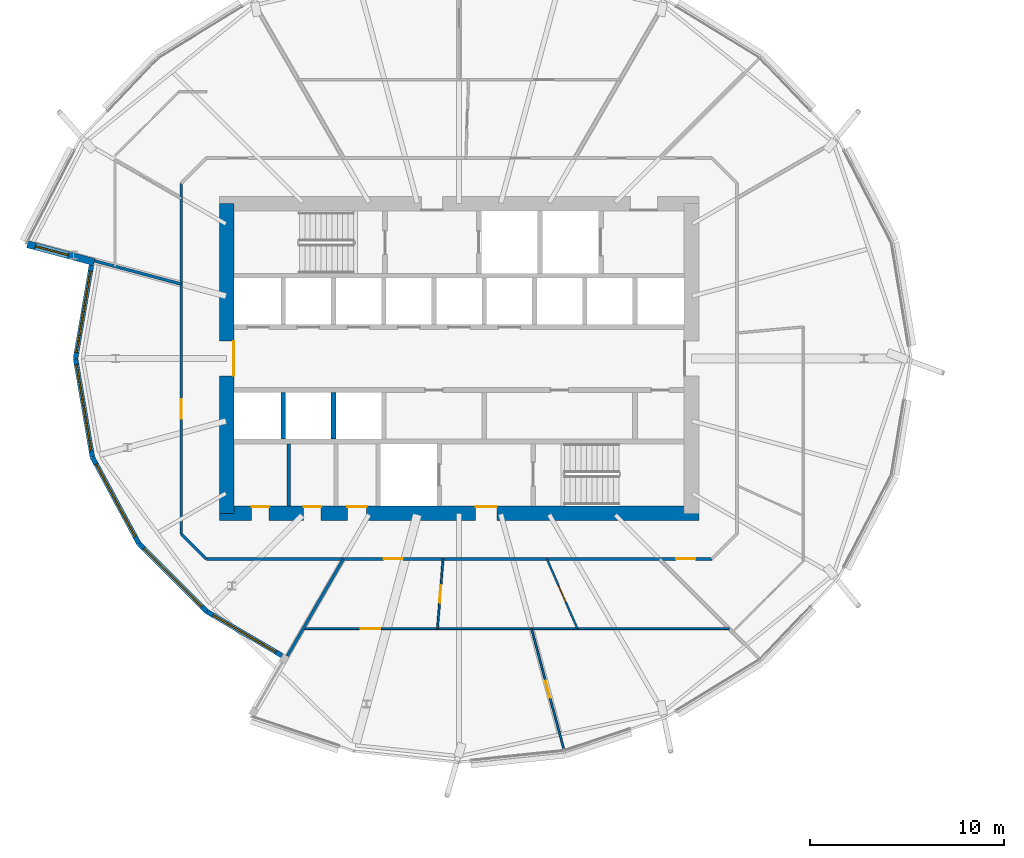
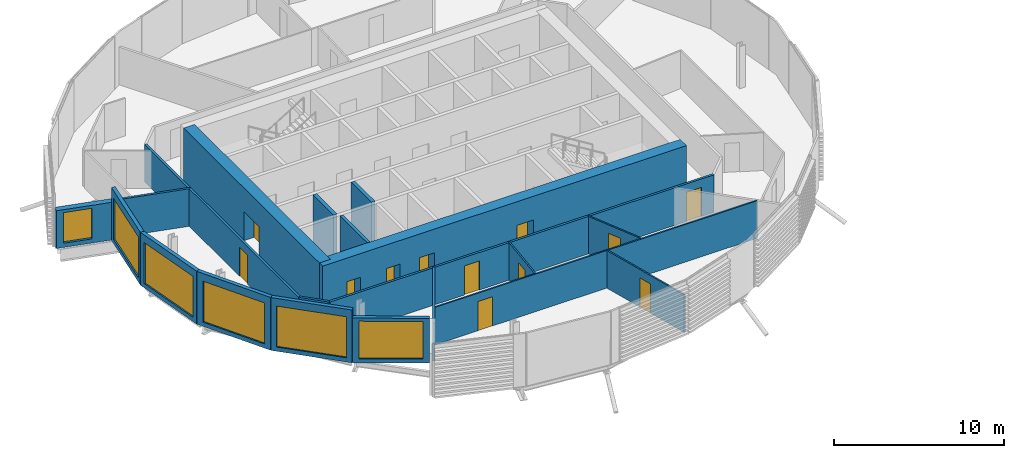
# One storey, part 21 of 38: 21 walls, 12 doors, 6 windows, 18 openings.
"""IFC4 building model written with IfcOpenShell, lengths in metres."""

from ifc_helpers import new_model, si_unit, direction, frame, frame_2d, origin, place, context, subcontext, project, spatial, rectangle, extrude, material, layer, layer_set, type_object, element, fill, save


model = new_model("IFC4")

# Units and contexts
model_context = context("Model", 3, precision=1e-05, world=origin(), true_north=direction((0.0, 1.0)))
body_context = subcontext(model_context, "Body", "Model", "MODEL_VIEW")
ifc_project = project(units=[si_unit("LENGTHUNIT", "METRE"), si_unit("AREAUNIT", "SQUARE_METRE"), si_unit("VOLUMEUNIT", "CUBIC_METRE"), si_unit("PLANEANGLEUNIT", "RADIAN"), si_unit("MASSUNIT", "GRAM", prefix="KILO")], contexts=[model_context])

# Site, building, storey
site_placement = place(None, origin())
site = spatial("IfcSite", under=ifc_project, at=site_placement, CompositionType="ELEMENT")
building_placement = place(site_placement, origin())
building = spatial("IfcBuilding", under=site, at=building_placement, Name="Rimbun Link Towers", CompositionType="ELEMENT")
storey_placement = place(building_placement, frame((0.0, 0.0, 108.199951171875)))
storey = spatial("IfcBuildingStorey", under=building, at=storey_placement, Name="L26", CompositionType="ELEMENT", Elevation=108.199951171875)

# Wall, opening, window
ifc_material_1 = material(Name="Dark enamelled glass spandrel on insulated aluminium backpan", Category="aluminium")
ifc_layer_1 = layer(ifc_material_1, 0.25)
ifc_layer_set_1 = layer_set([ifc_layer_1], Name="CS dark enamelled spandrel wall 250")
wall_type_1 = type_object("IfcWallType", Name="CS dark enamelled spandrel wall 250", PredefinedType="STANDARD", material=ifc_layer_set_1)
wall_1_placement = place(storey_placement, frame((-51.559326171875, 0.0, 0.0), z_axis=(0.0, 0.0, 1.0), x_axis=(0.16807555834, 0.985774115449, 0.0)))
wall_1 = element("IfcWall", 1, at=wall_1_placement, inside=storey, type_object=wall_type_1, Name="Crease spandrel wall", PredefinedType="STANDARD", context=body_context, shape_type="SweptSolid", body=[
    extrude(rectangle(XDim=4.89794921875, YDim=0.25, at=frame_2d((2.448974609375, 0.0))), origin(), (0.0, 0.0, 1.0), 3.800048828125),
])
opening_1_placement = place(wall_1_placement, frame((0.323974609375, 0.0, 0.300048828125)))
opening_1 = element("IfcOpeningElement", 2, at=opening_1_placement, cuts=wall_1, Name="Opening WR42H295", PredefinedType="OPENING", context=body_context, shape_type="SweptSolid", body=[
    extrude(rectangle(XDim=4.25, YDim=2.949951171875, at=frame_2d((2.125, 1.47509765625))), frame((0.0, 0.135009765625, 0.0), z_axis=(0.0, -1.0, 0.0), x_axis=(1.0, 0.0, 0.0)), (0.0, 0.0, 1.0), 0.27001953125),
])
ifc_material_2 = material(Name="Aluminium framed fixed window, dark tinted low-e glass", Category="aluminium")
window_type_1 = type_object("IfcWindowType", Name="WR ribbon window 4250X2950", PartitioningType="SINGLE_PANEL", PredefinedType="WINDOW", material=ifc_material_2)
window_1_placement = place(opening_1_placement, origin())
window_1 = element("IfcWindow", 3, at=window_1_placement, inside=storey, type_object=window_type_1, Name="Crease ribbon window", OverallHeight=2.949951171875, OverallWidth=4.25, PartitioningType="SINGLE_PANEL", PredefinedType="WINDOW", context=body_context, shape_type="SweptSolid", body=[
    extrude(rectangle(XDim=4.25, YDim=2.949951171875, at=frame_2d((2.125, 1.47509765625))), frame((0.0, 0.030029296875, 0.0), z_axis=(0.0, -1.0, 0.0), x_axis=(1.0, 0.0, 0.0)), (0.0, 0.0, 1.0), 0.06005859375),
])
fill(opening_1, window_1)

wall_2_placement = place(storey_placement, frame((-50.6923828125, -5.084716796875, 0.0), z_axis=(0.0, 0.0, 1.0), x_axis=(-0.168074355977, 0.985774320452, 0.0)))
wall_2 = element("IfcWall", 4, at=wall_2_placement, inside=storey, type_object=wall_type_1, Name="Crease spandrel wall", PredefinedType="STANDARD", context=body_context, shape_type="SweptSolid", body=[
    extrude(rectangle(XDim=5.158203125, YDim=0.25, at=frame_2d((2.5791015625, 0.0))), origin(), (0.0, 0.0, 1.0), 3.800048828125),
])
opening_2_placement = place(wall_2_placement, frame((0.3291015625, 0.0, 0.300048828125)))
opening_2 = element("IfcOpeningElement", 5, at=opening_2_placement, cuts=wall_2, Name="Opening WR45H295", PredefinedType="OPENING", context=body_context, shape_type="SweptSolid", body=[
    extrude(rectangle(XDim=4.5, YDim=2.949951171875, at=frame_2d((2.25, 1.47509765625))), frame((0.0, 0.135009765625, 0.0), z_axis=(0.0, -1.0, 0.0), x_axis=(1.0, 0.0, 0.0)), (0.0, 0.0, 1.0), 0.27001953125),
])
ifc_material_3 = material(Name="Aluminium framed fixed window, dark tinted low-e glass", Category="aluminium")
window_type_2 = type_object("IfcWindowType", Name="WR ribbon window 4500X2950", PartitioningType="SINGLE_PANEL", PredefinedType="WINDOW", material=ifc_material_3)
window_2_placement = place(opening_2_placement, origin())
window_2 = element("IfcWindow", 6, at=window_2_placement, inside=storey, type_object=window_type_2, Name="Crease ribbon window", OverallHeight=2.949951171875, OverallWidth=4.5, PartitioningType="SINGLE_PANEL", PredefinedType="WINDOW", context=body_context, shape_type="SweptSolid", body=[
    extrude(rectangle(XDim=4.5, YDim=2.949951171875, at=frame_2d((2.25, 1.47509765625))), frame((0.0, 0.030029296875, 0.0), z_axis=(0.0, -1.0, 0.0), x_axis=(1.0, 0.0, 0.0)), (0.0, 0.0, 1.0), 0.06005859375),
])
fill(opening_2, window_2)

wall_3_placement = place(storey_placement, frame((-48.284912109375, -9.563232421875, 0.0), z_axis=(0.0, 0.0, 1.0), x_axis=(-0.473484091358, 0.880802370132, 0.0)))
wall_3 = element("IfcWall", 7, at=wall_3_placement, inside=storey, type_object=wall_type_1, Name="Crease spandrel wall", PredefinedType="STANDARD", context=body_context, shape_type="SweptSolid", body=[
    extrude(rectangle(XDim=5.08447265625, YDim=0.25, at=frame_2d((2.542236328125, 0.0))), origin(), (0.0, 0.0, 1.0), 3.800048828125),
])
opening_3_placement = place(wall_3_placement, frame((0.41748046875, 0.0, 0.300048828125)))
opening_3 = element("IfcOpeningElement", 8, at=opening_3_placement, cuts=wall_3, Name="Opening WR42H295", PredefinedType="OPENING", context=body_context, shape_type="SweptSolid", body=[
    extrude(rectangle(XDim=4.25, YDim=2.949951171875, at=frame_2d((2.125, 1.47509765625))), frame((0.0, 0.135009765625, 0.0), z_axis=(0.0, -1.0, 0.0), x_axis=(1.0, 0.0, 0.0)), (0.0, 0.0, 1.0), 0.27001953125),
])
window_3_placement = place(opening_3_placement, origin())
window_3 = element("IfcWindow", 9, at=window_3_placement, inside=storey, type_object=window_type_1, Name="Crease ribbon window", OverallHeight=2.949951171875, OverallWidth=4.25, PartitioningType="SINGLE_PANEL", PredefinedType="WINDOW", context=body_context, shape_type="SweptSolid", body=[
    extrude(rectangle(XDim=4.25, YDim=2.949951171875, at=frame_2d((2.125, 1.47509765625))), frame((0.0, 0.030029296875, 0.0), z_axis=(0.0, -1.0, 0.0), x_axis=(1.0, 0.0, 0.0)), (0.0, 0.0, 1.0), 0.06005859375),
])
fill(opening_3, window_3)

wall_4_placement = place(storey_placement, frame((-44.7880859375, -13.060791015625, 0.0), z_axis=(0.0, 0.0, 1.0), x_axis=(-0.707032732131, 0.707180822489, 0.0)))
wall_4 = element("IfcWall", 10, at=wall_4_placement, inside=storey, type_object=wall_type_1, Name="Crease spandrel wall", PredefinedType="STANDARD", context=body_context, shape_type="SweptSolid", body=[
    extrude(rectangle(XDim=4.94580078125, YDim=0.25, at=frame_2d((2.472900390625, 0.0))), origin(), (0.0, 0.0, 1.0), 3.800048828125),
])
opening_4_placement = place(wall_4_placement, frame((0.347900390625, 0.0, 0.300048828125)))
opening_4 = element("IfcOpeningElement", 11, at=opening_4_placement, cuts=wall_4, Name="Opening WR42H295", PredefinedType="OPENING", context=body_context, shape_type="SweptSolid", body=[
    extrude(rectangle(XDim=4.25, YDim=2.949951171875, at=frame_2d((2.125, 1.47509765625))), frame((0.0, 0.135009765625, 0.0), z_axis=(0.0, -1.0, 0.0), x_axis=(1.0, 0.0, 0.0)), (0.0, 0.0, 1.0), 0.27001953125),
])
window_4_placement = place(opening_4_placement, origin())
window_4 = element("IfcWindow", 12, at=window_4_placement, inside=storey, type_object=window_type_1, Name="Crease ribbon window", OverallHeight=2.949951171875, OverallWidth=4.25, PartitioningType="SINGLE_PANEL", PredefinedType="WINDOW", context=body_context, shape_type="SweptSolid", body=[
    extrude(rectangle(XDim=4.25, YDim=2.949951171875, at=frame_2d((2.125, 1.47509765625))), frame((0.0, 0.030029296875, 0.0), z_axis=(0.0, -1.0, 0.0), x_axis=(1.0, 0.0, 0.0)), (0.0, 0.0, 1.0), 0.06005859375),
])
fill(opening_4, window_4)

wall_5_placement = place(storey_placement, frame((-40.896240234375, -15.341552734375, 0.0), z_axis=(0.0, 0.0, 1.0), x_axis=(-0.862762287137, 0.505609766416, 0.0)))
wall_5 = element("IfcWall", 13, at=wall_5_placement, inside=storey, type_object=wall_type_1, Name="Crease spandrel wall", PredefinedType="STANDARD", context=body_context, shape_type="SweptSolid", body=[
    extrude(rectangle(XDim=4.510986328125, YDim=0.25, at=frame_2d((2.25537109375, 0.0))), origin(), (0.0, 0.0, 1.0), 3.2236328125),
])
opening_5_placement = place(wall_5_placement, frame((0.380615234375, 0.0, 0.300048828125)))
opening_5 = element("IfcOpeningElement", 14, at=opening_5_placement, cuts=wall_5, Name="Opening WR38H270", PredefinedType="OPENING", context=body_context, shape_type="SweptSolid", body=[
    extrude(rectangle(XDim=3.75, YDim=2.699951171875, at=frame_2d((1.875, 1.35009765625))), frame((0.0, 0.135009765625, 0.0), z_axis=(0.0, -1.0, 0.0), x_axis=(1.0, 0.0, 0.0)), (0.0, 0.0, 1.0), 0.27001953125),
])
ifc_material_4 = material(Name="Aluminium framed fixed window, dark tinted low-e glass", Category="aluminium")
window_type_3 = type_object("IfcWindowType", Name="WR ribbon window 3750X2700", PartitioningType="SINGLE_PANEL", PredefinedType="WINDOW", material=ifc_material_4)
window_5_placement = place(opening_5_placement, origin())
window_5 = element("IfcWindow", 15, at=window_5_placement, inside=storey, type_object=window_type_3, Name="Crease ribbon window", OverallHeight=2.699951171875, OverallWidth=3.75, PartitioningType="SINGLE_PANEL", PredefinedType="WINDOW", context=body_context, shape_type="SweptSolid", body=[
    extrude(rectangle(XDim=3.75, YDim=2.699951171875, at=frame_2d((1.875, 1.35009765625))), frame((0.0, 0.030029296875, 0.0), z_axis=(0.0, -1.0, 0.0), x_axis=(1.0, 0.0, 0.0)), (0.0, 0.0, 1.0), 0.06005859375),
])
fill(opening_5, window_5)

ifc_material_5 = material(Name="Dark enamelled glass spandrel on insulated aluminium backpan", Category="aluminium")
ifc_layer_2 = layer(ifc_material_5, 0.3701171875)
ifc_layer_set_2 = layer_set([ifc_layer_2], Name="CS dark enamelled spandrel wall 370")
wall_type_2 = type_object("IfcWallType", Name="CS dark enamelled spandrel wall 370", PredefinedType="STANDARD", material=ifc_layer_set_2)
wall_6_placement = place(storey_placement, frame((-50.589599609375, 4.980712890625, 0.0), z_axis=(0.0, 0.0, 1.0), x_axis=(-0.965929787715, 0.258804260405, 0.0)))
wall_6 = element("IfcWall", 16, at=wall_6_placement, inside=storey, type_object=wall_type_2, Name="Crease spandrel wall", PredefinedType="STANDARD", context=body_context, shape_type="SweptSolid", body=[
    extrude(rectangle(XDim=3.580078125, YDim=0.3701171875, at=frame_2d((1.7900390625, 0.0))), origin(), (0.0, 0.0, 1.0), 2.711669921875),
])
opening_6_placement = place(wall_6_placement, frame((1.395751953125, 0.0, 0.300048828125)))
opening_6 = element("IfcOpeningElement", 17, at=opening_6_placement, cuts=wall_6, Name="Opening WR18H220", PredefinedType="OPENING", context=body_context, shape_type="SweptSolid", body=[
    extrude(rectangle(XDim=1.75, YDim=2.199951171875, at=frame_2d((0.875, 1.10009765625))), frame((0.0, 0.195068359375, 0.0), z_axis=(0.0, -1.0, 0.0), x_axis=(1.0, 0.0, 0.0)), (0.0, 0.0, 1.0), 0.39013671875),
])
ifc_material_6 = material(Name="Aluminium framed fixed window, dark tinted low-e glass", Category="aluminium")
window_type_4 = type_object("IfcWindowType", Name="WR ribbon window 1750X2200", PartitioningType="SINGLE_PANEL", PredefinedType="WINDOW", material=ifc_material_6)
window_6_placement = place(opening_6_placement, origin())
window_6 = element("IfcWindow", 18, at=window_6_placement, inside=storey, type_object=window_type_4, Name="Crease ribbon window", OverallHeight=2.199951171875, OverallWidth=1.75, PartitioningType="SINGLE_PANEL", PredefinedType="WINDOW", context=body_context, shape_type="SweptSolid", body=[
    extrude(rectangle(XDim=1.75, YDim=2.199951171875, at=frame_2d((0.875, 1.10009765625))), frame((0.0, 0.030029296875, 0.0), z_axis=(0.0, -1.0, 0.0), x_axis=(1.0, 0.0, 0.0)), (0.0, 0.0, 1.0), 0.06005859375),
])
fill(opening_6, window_6)

# Wall
ifc_material_7 = material(Name="Masonry blockwork", Category="masonry")
ifc_layer_3 = layer(ifc_material_7, 0.199951171875)
ifc_layer_set_3 = layer_set([ifc_layer_3], Name="Core partition 200")
wall_type_3 = type_object("IfcWallType", Name="Core partition 200", PredefinedType="PARTITIONING", material=ifc_layer_set_3)
wall_7_placement = place(storey_placement, frame((-40.550048828125, -4.39990234375, 0.0), z_axis=(0.0, 0.0, 1.0), x_axis=(0.0, -1.0, 0.0)))
element("IfcWall", 19, at=wall_7_placement, inside=storey, type_object=wall_type_3, Name="L26 T1 core wall C1", PredefinedType="PARTITIONING", context=body_context, shape_type="SweptSolid", body=[
    extrude(rectangle(XDim=3.22509765625, YDim=0.199951171875, at=frame_2d((1.612548828125, 0.0))), origin(), (0.0, 0.0, 1.0), 3.800048828125),
])

# Wall, openings, doors
ifc_material_8 = material(Name="Concrete C60/75", Category="concrete")
ifc_layer_4 = layer(ifc_material_8, 0.75)
ifc_layer_set_4 = layer_set([ifc_layer_4], Name="Core shear wall 750")
wall_type_4 = type_object("IfcWallType", Name="Core shear wall 750", PredefinedType="SHEAR", material=ifc_layer_set_4)
wall_8_placement = place(storey_placement, frame((-44.125, -8.0, 0.0), z_axis=(0.0, 0.0, 1.0), x_axis=(1.0, 0.0, 0.0)))
wall_8 = element("IfcWall", 20, at=wall_8_placement, inside=storey, type_object=wall_type_4, Name="L26 T1 core wall S", PredefinedType="SHEAR", context=body_context, shape_type="SweptSolid", body=[
    extrude(rectangle(XDim=24.75, YDim=0.75, at=frame_2d((12.375, 0.0))), origin(), (0.0, 0.0, 1.0), 3.800048828125),
])
opening_7_placement = place(wall_8_placement, frame((13.22509765625, 0.0, 0.0)))
opening_7 = element("IfcOpeningElement", 21, at=opening_7_placement, cuts=wall_8, Name="Opening C1DCF01S", PredefinedType="OPENING", context=body_context, shape_type="SweptSolid", body=[
    extrude(rectangle(XDim=1.10009765625, YDim=2.10009765625, at=frame_2d((0.550048828125, 1.050048828125))), frame((0.0, 0.385009765625, 0.0), z_axis=(0.0, -1.0, 0.0), x_axis=(1.0, 0.0, 0.0)), (0.0, 0.0, 1.0), 0.77001953125),
])
opening_8_placement = place(wall_8_placement, frame((1.66259765625, 0.0, 0.0)))
opening_8 = element("IfcOpeningElement", 22, at=opening_8_placement, cuts=wall_8, Name="Opening C1DWC02S", PredefinedType="OPENING", context=body_context, shape_type="SweptSolid", body=[
    extrude(rectangle(XDim=0.89990234375, YDim=2.10009765625, at=frame_2d((0.449951171875, 1.050048828125))), frame((0.0, 0.385009765625, 0.0), z_axis=(0.0, -1.0, 0.0), x_axis=(1.0, 0.0, 0.0)), (0.0, 0.0, 1.0), 0.77001953125),
])
opening_9_placement = place(wall_8_placement, frame((4.35009765625, 0.0, 0.0)))
opening_9 = element("IfcOpeningElement", 23, at=opening_9_placement, cuts=wall_8, Name="Opening C1DWC03S", PredefinedType="OPENING", context=body_context, shape_type="SweptSolid", body=[
    extrude(rectangle(XDim=0.89990234375, YDim=2.10009765625, at=frame_2d((0.449951171875, 1.050048828125))), frame((0.0, 0.385009765625, 0.0), z_axis=(0.0, -1.0, 0.0), x_axis=(1.0, 0.0, 0.0)), (0.0, 0.0, 1.0), 0.77001953125),
])
opening_10_placement = place(wall_8_placement, frame((6.60009765625, 0.0, 0.0)))
opening_10 = element("IfcOpeningElement", 24, at=opening_10_placement, cuts=wall_8, Name="Opening C1DAW04S", PredefinedType="OPENING", context=body_context, shape_type="SweptSolid", body=[
    extrude(rectangle(XDim=1.0, YDim=2.10009765625, at=frame_2d((0.5, 1.050048828125))), frame((0.0, 0.385009765625, 0.0), z_axis=(0.0, -1.0, 0.0), x_axis=(1.0, 0.0, 0.0)), (0.0, 0.0, 1.0), 0.77001953125),
])
ifc_material_9 = material(Name="Timber", Category="wood")
door_type_1 = type_object("IfcDoorType", Name="Accessible WC door", OperationType="SINGLE_SWING_LEFT", PredefinedType="DOOR", material=ifc_material_9)
door_1_placement = place(opening_10_placement, origin())
door_1 = element("IfcDoor", 25, at=door_1_placement, inside=storey, type_object=door_type_1, Name="L26 T1 accessible wc door", OperationType="SINGLE_SWING_RIGHT", OverallHeight=2.10009765625, OverallWidth=1.0, PredefinedType="DOOR", context=body_context, shape_type="SweptSolid", body=[
    extrude(rectangle(XDim=1.0, YDim=2.10009765625, at=frame_2d((0.5, 1.050048828125))), frame((0.0, 0.375, 0.0), z_axis=(0.0, -1.0, 0.0), x_axis=(1.0, 0.0, 0.0)), (0.0, 0.0, 1.0), 0.050048828125),
])
fill(opening_10, door_1)
ifc_material_10 = material(Name="Steel fire door set", Category="steel")
door_type_2 = type_object("IfcDoorType", Name="Core fire door single", OperationType="SINGLE_SWING_LEFT", PredefinedType="DOOR", material=ifc_material_10)
door_2_placement = place(opening_7_placement, origin())
door_2 = element("IfcDoor", 26, at=door_2_placement, inside=storey, type_object=door_type_2, Name="L26 T1 firefighting lobby s door", OperationType="SINGLE_SWING_RIGHT", OverallHeight=2.10009765625, OverallWidth=1.10009765625, PredefinedType="DOOR", context=body_context, shape_type="SweptSolid", body=[
    extrude(rectangle(XDim=1.10009765625, YDim=2.10009765625, at=frame_2d((0.550048828125, 1.050048828125))), frame((0.0, 0.375, 0.0), z_axis=(0.0, -1.0, 0.0), x_axis=(1.0, 0.0, 0.0)), (0.0, 0.0, 1.0), 0.050048828125),
])
fill(opening_7, door_2)
ifc_material_11 = material(Name="Timber", Category="wood")
door_type_3 = type_object("IfcDoorType", Name="WC door", OperationType="SINGLE_SWING_LEFT", PredefinedType="DOOR", material=ifc_material_11)
door_3_placement = place(opening_8_placement, origin())
door_3 = element("IfcDoor", 27, at=door_3_placement, inside=storey, type_object=door_type_3, Name="L26 T1 male wc door", OperationType="SINGLE_SWING_LEFT", OverallHeight=2.10009765625, OverallWidth=0.89990234375, PredefinedType="DOOR", context=body_context, shape_type="SweptSolid", body=[
    extrude(rectangle(XDim=0.89990234375, YDim=2.10009765625, at=frame_2d((0.449951171875, 1.050048828125))), frame((0.0, 0.375, 0.0), z_axis=(0.0, -1.0, 0.0), x_axis=(1.0, 0.0, 0.0)), (0.0, 0.0, 1.0), 0.050048828125),
])
fill(opening_8, door_3)
door_4_placement = place(opening_9_placement, origin())
door_4 = element("IfcDoor", 28, at=door_4_placement, inside=storey, type_object=door_type_3, Name="L26 T1 female wc door", OperationType="SINGLE_SWING_RIGHT", OverallHeight=2.10009765625, OverallWidth=0.89990234375, PredefinedType="DOOR", context=body_context, shape_type="SweptSolid", body=[
    extrude(rectangle(XDim=0.89990234375, YDim=2.10009765625, at=frame_2d((0.449951171875, 1.050048828125))), frame((0.0, 0.375, 0.0), z_axis=(0.0, -1.0, 0.0), x_axis=(1.0, 0.0, 0.0)), (0.0, 0.0, 1.0), 0.050048828125),
])
fill(opening_9, door_4)

# Wall, opening, door
wall_9_placement = place(storey_placement, frame((-43.75, -8.0, 0.0), z_axis=(0.0, 0.0, 1.0), x_axis=(0.0, 1.0, 0.0)))
wall_9 = element("IfcWall", 29, at=wall_9_placement, inside=storey, type_object=wall_type_4, Name="L26 T1 core wall W", PredefinedType="SHEAR", context=body_context, shape_type="SweptSolid", body=[
    extrude(rectangle(XDim=16.0, YDim=0.75, at=frame_2d((8.0, 0.0))), origin(), (0.0, 0.0, 1.0), 3.800048828125),
])
opening_11_placement = place(wall_9_placement, frame((7.10009765625, 0.0, 0.0)))
opening_11 = element("IfcOpeningElement", 30, at=opening_11_placement, cuts=wall_9, Name="Opening C1DCL01W", PredefinedType="OPENING", context=body_context, shape_type="SweptSolid", body=[
    extrude(rectangle(XDim=1.800048828125, YDim=2.10009765625, at=frame_2d((0.89990234375, 1.050048828125))), frame((0.0, 0.385009765625, 0.0), z_axis=(0.0, -1.0, 0.0), x_axis=(1.0, 0.0, 0.0)), (0.0, 0.0, 1.0), 0.77001953125),
])
ifc_material_12 = material(Name="Steel fire door set", Category="steel")
door_type_4 = type_object("IfcDoorType", Name="Core lobby door double", OperationType="DOUBLE_DOOR_SINGLE_SWING", PredefinedType="DOOR", material=ifc_material_12)
door_5_placement = place(opening_11_placement, origin())
door_5 = element("IfcDoor", 31, at=door_5_placement, inside=storey, type_object=door_type_4, Name="L26 T1 lift lobby door", OperationType="DOUBLE_DOOR_SINGLE_SWING", OverallHeight=2.10009765625, OverallWidth=1.800048828125, PredefinedType="DOOR", context=body_context, shape_type="SweptSolid", body=[
    extrude(rectangle(XDim=1.800048828125, YDim=2.10009765625, at=frame_2d((0.89990234375, 1.050048828125))), frame((0.0, -0.3251953125, 0.0), z_axis=(0.0, -1.0, 0.0), x_axis=(1.0, 0.0, 0.0)), (0.0, 0.0, 1.0), 0.050048828125),
])
fill(opening_11, door_5)

# Wall, openings, doors
ifc_material_13 = material(Name="Plasterboard on steel stud, mineral wool", Category="steel")
ifc_layer_5 = layer(ifc_material_13, 0.14990234375)
ifc_layer_set_5 = layer_set([ifc_layer_5], Name="Corridor wall EI 30 150 mm")
wall_type_5 = type_object("IfcWallType", Name="Corridor wall EI 30 150 mm", PredefinedType="PARTITIONING", material=ifc_layer_set_5)
wall_10_placement = place(storey_placement, frame((-18.6982421875, -10.35009765625, 0.0), z_axis=(0.0, 0.0, 1.0), x_axis=(-1.0, 0.0, 0.0)))
wall_10 = element("IfcWall", 32, at=wall_10_placement, inside=storey, type_object=wall_type_5, Name="Corridor wall EI 30 150 mm", PredefinedType="PARTITIONING", context=body_context, shape_type="SweptSolid", body=[
    extrude(rectangle(XDim=26.103515625, YDim=0.14990234375, at=frame_2d((13.0517578125, 0.0))), origin(), (0.0, 0.0, 1.0), 2.7021484375),
])
opening_12_placement = place(wall_10_placement, frame((15.9541015625, 0.0, 0.0)))
opening_12 = element("IfcOpeningElement", 33, at=opening_12_placement, cuts=wall_10, Name="Opening D01", PredefinedType="OPENING", context=body_context, shape_type="SweptSolid", body=[
    extrude(rectangle(XDim=1.0, YDim=2.10009765625, at=frame_2d((0.5, 1.050048828125))), frame((0.0, 0.0849609375, 0.0), z_axis=(0.0, -1.0, 0.0), x_axis=(1.0, 0.0, 0.0)), (0.0, 0.0, 1.0), 0.169921875),
])
opening_13_placement = place(wall_10_placement, frame((0.850830078125, 0.0, 0.0)))
opening_13 = element("IfcOpeningElement", 34, at=opening_13_placement, cuts=wall_10, Name="Opening D01", PredefinedType="OPENING", context=body_context, shape_type="SweptSolid", body=[
    extrude(rectangle(XDim=1.0, YDim=2.10009765625, at=frame_2d((0.5, 1.050048828125))), frame((0.0, 0.0849609375, 0.0), z_axis=(0.0, -1.0, 0.0), x_axis=(1.0, 0.0, 0.0)), (0.0, 0.0, 1.0), 0.169921875),
])
ifc_material_14 = material(Name="Fire-resisting timber door leaf", Category="wood")
door_type_5 = type_object("IfcDoorType", Name="Fire door FD30S 1000", OperationType="NOTDEFINED", PredefinedType="DOOR", material=ifc_material_14)
door_6_placement = place(opening_12_placement, origin())
door_6 = element("IfcDoor", 35, at=door_6_placement, inside=storey, type_object=door_type_5, Name="Fire door FD30S 1000 to Reception", OperationType="SINGLE_SWING_LEFT", OverallHeight=2.10009765625, OverallWidth=1.0, PredefinedType="DOOR", context=body_context, shape_type="SweptSolid", body=[
    extrude(rectangle(XDim=1.0, YDim=2.10009765625, at=frame_2d((0.5, 1.050048828125))), frame((0.0, 0.02490234375, 0.0), z_axis=(0.0, -1.0, 0.0), x_axis=(1.0, 0.0, 0.0)), (0.0, 0.0, 1.0), 0.050048828125),
])
fill(opening_12, door_6)
door_7_placement = place(opening_13_placement, origin())
door_7 = element("IfcDoor", 36, at=door_7_placement, inside=storey, type_object=door_type_5, Name="Fire door FD30S 1000 to Reception", OperationType="SINGLE_SWING_LEFT", OverallHeight=2.10009765625, OverallWidth=1.0, PredefinedType="DOOR", context=body_context, shape_type="SweptSolid", body=[
    extrude(rectangle(XDim=1.0, YDim=2.10009765625, at=frame_2d((0.5, 1.050048828125))), frame((0.0, 0.02490234375, 0.0), z_axis=(0.0, -1.0, 0.0), x_axis=(1.0, 0.0, 0.0)), (0.0, 0.0, 1.0), 0.050048828125),
])
fill(opening_13, door_7)

# Wall
wall_11_placement = place(storey_placement, frame((-46.10009765625, -9.0517578125, 0.0), z_axis=(0.0, 0.0, 1.0), x_axis=(0.707106781187, -0.707106781187, 0.0)))
element("IfcWall", 37, at=wall_11_placement, inside=storey, type_object=wall_type_5, Name="Corridor wall EI 30 150 mm", PredefinedType="PARTITIONING", context=body_context, shape_type="SweptSolid", body=[
    extrude(rectangle(XDim=1.836181640625, YDim=0.14990234375, at=frame_2d((0.91796875, 0.0))), origin(), (0.0, 0.0, 1.0), 2.7021484375),
])

# Wall, opening, door
wall_12_placement = place(storey_placement, frame((-46.10009765625, -9.0517578125, 0.0), z_axis=(0.0, 0.0, 1.0), x_axis=(0.0, 1.0, 0.0)))
wall_12 = element("IfcWall", 38, at=wall_12_placement, inside=storey, type_object=wall_type_5, Name="Corridor wall EI 30 150 mm", PredefinedType="PARTITIONING", context=body_context, shape_type="SweptSolid", body=[
    extrude(rectangle(XDim=18.103515625, YDim=0.14990234375, at=frame_2d((9.0517578125, 0.0))), origin(), (0.0, 0.0, 1.0), 2.7021484375),
])
opening_14_placement = place(wall_12_placement, frame((5.948486328125, 0.0, 0.0)))
opening_14 = element("IfcOpeningElement", 39, at=opening_14_placement, cuts=wall_12, Name="Opening D01", PredefinedType="OPENING", context=body_context, shape_type="SweptSolid", body=[
    extrude(rectangle(XDim=1.0, YDim=2.10009765625, at=frame_2d((0.5, 1.050048828125))), frame((0.0, 0.0849609375, 0.0), z_axis=(0.0, -1.0, 0.0), x_axis=(1.0, 0.0, 0.0)), (0.0, 0.0, 1.0), 0.169921875),
])
door_8_placement = place(opening_14_placement, origin())
door_8 = element("IfcDoor", 40, at=door_8_placement, inside=storey, type_object=door_type_5, Name="Fire door FD30S 1000 to Terrace office", OperationType="SINGLE_SWING_LEFT", OverallHeight=2.10009765625, OverallWidth=1.0, PredefinedType="DOOR", context=body_context, shape_type="SweptSolid", body=[
    extrude(rectangle(XDim=1.0, YDim=2.10009765625, at=frame_2d((0.5, 1.050048828125))), frame((0.0, 0.02490234375, 0.0), z_axis=(0.0, -1.0, 0.0), x_axis=(1.0, 0.0, 0.0)), (0.0, 0.0, 1.0), 0.050048828125),
])
fill(opening_14, door_8)

ifc_material_15 = material(Name="Plasterboard on steel stud", Category="steel")
ifc_layer_6 = layer(ifc_material_15, 0.10009765625)
ifc_layer_set_6 = layer_set([ifc_layer_6], Name="Plasterboard partition 100 mm")
wall_type_6 = type_object("IfcWallType", Name="Plasterboard partition 100 mm", PredefinedType="PARTITIONING", material=ifc_layer_set_6)
wall_13_placement = place(storey_placement, frame((-32.579345703125, -10.35009765625, 0.0), z_axis=(0.0, 0.0, 1.0), x_axis=(-0.0798392644, -0.996807750702, 0.0)))
wall_13 = element("IfcWall", 41, at=wall_13_placement, inside=storey, type_object=wall_type_6, Name="Plasterboard partition 100 mm", PredefinedType="PARTITIONING", context=body_context, shape_type="SweptSolid", body=[
    extrude(rectangle(XDim=3.611328125, YDim=0.10009765625, at=frame_2d((1.8056640625, 0.0))), origin(), (0.0, 0.0, 1.0), 2.7021484375),
])
opening_15_placement = place(wall_13_placement, frame((1.355712890625, 0.0, 0.0)))
opening_15 = element("IfcOpeningElement", 42, at=opening_15_placement, cuts=wall_13, Name="Opening D04", PredefinedType="OPENING", context=body_context, shape_type="SweptSolid", body=[
    extrude(rectangle(XDim=0.89990234375, YDim=2.10009765625, at=frame_2d((0.449951171875, 1.050048828125))), frame((0.0, 0.06005859375, 0.0), z_axis=(0.0, -1.0, 0.0), x_axis=(1.0, 0.0, 0.0)), (0.0, 0.0, 1.0), 0.1201171875),
])
ifc_material_16 = material(Name="Timber door leaf", Category="wood")
door_type_6 = type_object("IfcDoorType", Name="Flush door 900", OperationType="NOTDEFINED", PredefinedType="DOOR", material=ifc_material_16)
door_9_placement = place(opening_15_placement, origin())
door_9 = element("IfcDoor", 43, at=door_9_placement, inside=storey, type_object=door_type_6, Name="Flush door 900 to Meeting room", OperationType="SINGLE_SWING_RIGHT", OverallHeight=2.10009765625, OverallWidth=0.89990234375, PredefinedType="DOOR", context=body_context, shape_type="SweptSolid", body=[
    extrude(rectangle(XDim=0.89990234375, YDim=2.10009765625, at=frame_2d((0.449951171875, 1.050048828125))), frame((0.0, 0.02490234375, 0.0), z_axis=(0.0, -1.0, 0.0), x_axis=(1.0, 0.0, 0.0)), (0.0, 0.0, 1.0), 0.050048828125),
])
fill(opening_15, door_9)

wall_14_placement = place(storey_placement, frame((-28.01220703125, -13.949951171875, 0.0), z_axis=(0.0, 0.0, 1.0), x_axis=(-1.0, 0.0, 0.0)))
wall_14 = element("IfcWall", 44, at=wall_14_placement, inside=storey, type_object=wall_type_6, Name="Plasterboard partition 100 mm", PredefinedType="PARTITIONING", context=body_context, shape_type="SweptSolid", body=[
    extrude(rectangle(XDim=11.791748046875, YDim=0.10009765625, at=frame_2d((5.89599609375, 0.0))), origin(), (0.0, 0.0, 1.0), 2.7021484375),
])
opening_16_placement = place(wall_14_placement, frame((7.80859375, 0.0, 0.0)))
opening_16 = element("IfcOpeningElement", 45, at=opening_16_placement, cuts=wall_14, Name="Opening D03", PredefinedType="OPENING", context=body_context, shape_type="SweptSolid", body=[
    extrude(rectangle(XDim=1.0, YDim=2.10009765625, at=frame_2d((0.5, 1.050048828125))), frame((0.0, 0.06005859375, 0.0), z_axis=(0.0, -1.0, 0.0), x_axis=(1.0, 0.0, 0.0)), (0.0, 0.0, 1.0), 0.1201171875),
])
ifc_material_17 = material(Name="Timber door leaf", Category="wood")
door_type_7 = type_object("IfcDoorType", Name="Flush door 1000", OperationType="NOTDEFINED", PredefinedType="DOOR", material=ifc_material_17)
door_10_placement = place(opening_16_placement, origin())
door_10 = element("IfcDoor", 46, at=door_10_placement, inside=storey, type_object=door_type_7, Name="Flush door 1000 to Co-working space", OperationType="SINGLE_SWING_LEFT", OverallHeight=2.10009765625, OverallWidth=1.0, PredefinedType="DOOR", context=body_context, shape_type="SweptSolid", body=[
    extrude(rectangle(XDim=1.0, YDim=2.10009765625, at=frame_2d((0.5, 1.050048828125))), frame((0.0, 0.02490234375, 0.0), z_axis=(0.0, -1.0, 0.0), x_axis=(1.0, 0.0, 0.0)), (0.0, 0.0, 1.0), 0.050048828125),
])
fill(opening_16, door_10)

wall_15_placement = place(storey_placement, frame((-27.216552734375, -10.35009765625, 0.0), z_axis=(0.0, 0.0, 1.0), x_axis=(0.401239177491, -0.915973319724, 0.0)))
wall_15 = element("IfcWall", 47, at=wall_15_placement, inside=storey, type_object=wall_type_6, Name="Plasterboard partition 100 mm", PredefinedType="PARTITIONING", context=body_context, shape_type="SweptSolid", body=[
    extrude(rectangle(XDim=3.93017578125, YDim=0.10009765625, at=frame_2d((1.965087890625, 0.0))), origin(), (0.0, 0.0, 1.0), 2.7021484375),
])
opening_17_placement = place(wall_15_placement, frame((1.51513671875, 0.0, 0.0)))
opening_17 = element("IfcOpeningElement", 48, at=opening_17_placement, cuts=wall_15, Name="Opening D04", PredefinedType="OPENING", context=body_context, shape_type="SweptSolid", body=[
    extrude(rectangle(XDim=0.89990234375, YDim=2.10009765625, at=frame_2d((0.449951171875, 1.050048828125))), frame((0.0, 0.06005859375, 0.0), z_axis=(0.0, -1.0, 0.0), x_axis=(1.0, 0.0, 0.0)), (0.0, 0.0, 1.0), 0.1201171875),
])
door_11_placement = place(opening_17_placement, origin())
door_11 = element("IfcDoor", 49, at=door_11_placement, inside=storey, type_object=door_type_6, Name="Flush door 900 to Pantry", OperationType="SINGLE_SWING_RIGHT", OverallHeight=2.10009765625, OverallWidth=0.89990234375, PredefinedType="DOOR", context=body_context, shape_type="SweptSolid", body=[
    extrude(rectangle(XDim=0.89990234375, YDim=2.10009765625, at=frame_2d((0.449951171875, 1.050048828125))), frame((0.0, 0.02490234375, 0.0), z_axis=(0.0, -1.0, 0.0), x_axis=(1.0, 0.0, 0.0)), (0.0, 0.0, 1.0), 0.050048828125),
])
fill(opening_17, door_11)

# Wall
wall_16_placement = place(storey_placement, frame((-28.01220703125, -13.949951171875, 0.0), z_axis=(0.0, 0.0, 1.0), x_axis=(1.0, 0.0, 0.0)))
element("IfcWall", 50, at=wall_16_placement, inside=storey, type_object=wall_type_6, Name="Plasterboard partition 100 mm", PredefinedType="PARTITIONING", context=body_context, shape_type="SweptSolid", body=[
    extrude(rectangle(XDim=10.212158203125, YDim=0.10009765625, at=frame_2d((5.10595703125, 0.0))), origin(), (0.0, 0.0, 1.0), 2.7021484375),
])

# Wall, opening, door
wall_17_placement = place(storey_placement, frame((-28.01220703125, -13.949951171875, 0.0), z_axis=(0.0, 0.0, 1.0), x_axis=(0.258826358617, -0.965923866609, 0.0)))
wall_17 = element("IfcWall", 51, at=wall_17_placement, inside=storey, type_object=wall_type_6, Name="Plasterboard partition 100 mm", PredefinedType="PARTITIONING", context=body_context, shape_type="SweptSolid", body=[
    extrude(rectangle(XDim=6.48876953125, YDim=0.10009765625, at=frame_2d((3.244384765625, 0.0))), origin(), (0.0, 0.0, 1.0), 2.7021484375),
])
opening_18_placement = place(wall_17_placement, frame((2.794189453125, 0.0, 0.0)))
opening_18 = element("IfcOpeningElement", 52, at=opening_18_placement, cuts=wall_17, Name="Opening D04", PredefinedType="OPENING", context=body_context, shape_type="SweptSolid", body=[
    extrude(rectangle(XDim=0.89990234375, YDim=2.10009765625, at=frame_2d((0.449951171875, 1.050048828125))), frame((0.0, 0.06005859375, 0.0), z_axis=(0.0, -1.0, 0.0), x_axis=(1.0, 0.0, 0.0)), (0.0, 0.0, 1.0), 0.1201171875),
])
door_12_placement = place(opening_18_placement, origin())
door_12 = element("IfcDoor", 53, at=door_12_placement, inside=storey, type_object=door_type_6, Name="Flush door 900 to Serviced office", OperationType="SINGLE_SWING_RIGHT", OverallHeight=2.10009765625, OverallWidth=0.89990234375, PredefinedType="DOOR", context=body_context, shape_type="SweptSolid", body=[
    extrude(rectangle(XDim=0.89990234375, YDim=2.10009765625, at=frame_2d((0.449951171875, 1.050048828125))), frame((0.0, 0.02490234375, 0.0), z_axis=(0.0, -1.0, 0.0), x_axis=(1.0, 0.0, 0.0)), (0.0, 0.0, 1.0), 0.050048828125),
])
fill(opening_18, door_12)

# Walls
ifc_material_18 = material(Name="Concrete C60/75", Category="concrete")
ifc_layer_7 = layer(ifc_material_18, 0.25)
ifc_layer_set_7 = layer_set([ifc_layer_7], Name="Shaft wall 250")
wall_type_7 = type_object("IfcWallType", Name="Shaft wall 250", PredefinedType="SHEAR", material=ifc_layer_set_7)
for number, where, z_axis, x_axis, name in (
    (54, (-40.83056640625, -4.14990234375, 0.0), (0.0, 0.0, 1.0), (0.0, 1.0, 0.0), "L26 T1 core wall DS0"),
    (55, (-38.236083984375, -4.14990234375, 0.0), (0.0, 0.0, 1.0), (0.0, 1.0, 0.0), "L26 T1 core wall DS1"),
):
    element("IfcWall", number, at=place(storey_placement, frame(where, z_axis=z_axis, x_axis=x_axis)), inside=storey, type_object=wall_type_7, Name=name, PredefinedType="SHEAR", context=body_context, shape_type="SweptSolid", body=[
        extrude(rectangle(XDim=2.39990234375, YDim=0.25, at=frame_2d((1.199951171875, 0.0))), origin(), (0.0, 0.0, 1.0), 3.800048828125),
    ])
ifc_material_19 = material(Name="Plasterboard on steel stud, mineral wool", Category="steel")
ifc_layer_8 = layer(ifc_material_19, 0.14990234375)
ifc_layer_set_8 = layer_set([ifc_layer_8], Name="Tenancy separation wall EI 60 150 mm")
wall_type_8 = type_object("IfcWallType", Name="Tenancy separation wall EI 60 150 mm", PredefinedType="PARTITIONING", material=ifc_layer_set_8)
wall_18_placement = place(storey_placement, frame((-46.10009765625, 3.84521484375, 0.0), z_axis=(0.0, 0.0, 1.0), x_axis=(-0.965936755558, 0.258778253072, 0.0)))
element("IfcWall", 56, at=wall_18_placement, inside=storey, type_object=wall_type_8, Name="Tenancy separation wall EI 60 150 mm", PredefinedType="PARTITIONING", context=body_context, shape_type="SweptSolid", body=[
    extrude(rectangle(XDim=4.63037109375, YDim=0.14990234375, at=frame_2d((2.315185546875, 0.0))), origin(), (0.0, 0.0, 1.0), 2.7021484375),
])
wall_19_placement = place(storey_placement, frame((-37.7255859375, -10.35009765625, 0.0), z_axis=(0.0, 0.0, 1.0), x_axis=(-0.499992798144, -0.866029561738, 0.0)))
element("IfcWall", 57, at=wall_19_placement, inside=storey, type_object=wall_type_8, Name="Tenancy separation wall EI 60 150 mm", PredefinedType="PARTITIONING", context=body_context, shape_type="SweptSolid", body=[
    extrude(rectangle(XDim=5.78466796875, YDim=0.14990234375, at=frame_2d((2.892333984375, 0.0))), origin(), (0.0, 0.0, 1.0), 2.7021484375),
])

save(model, "model.ifc")
